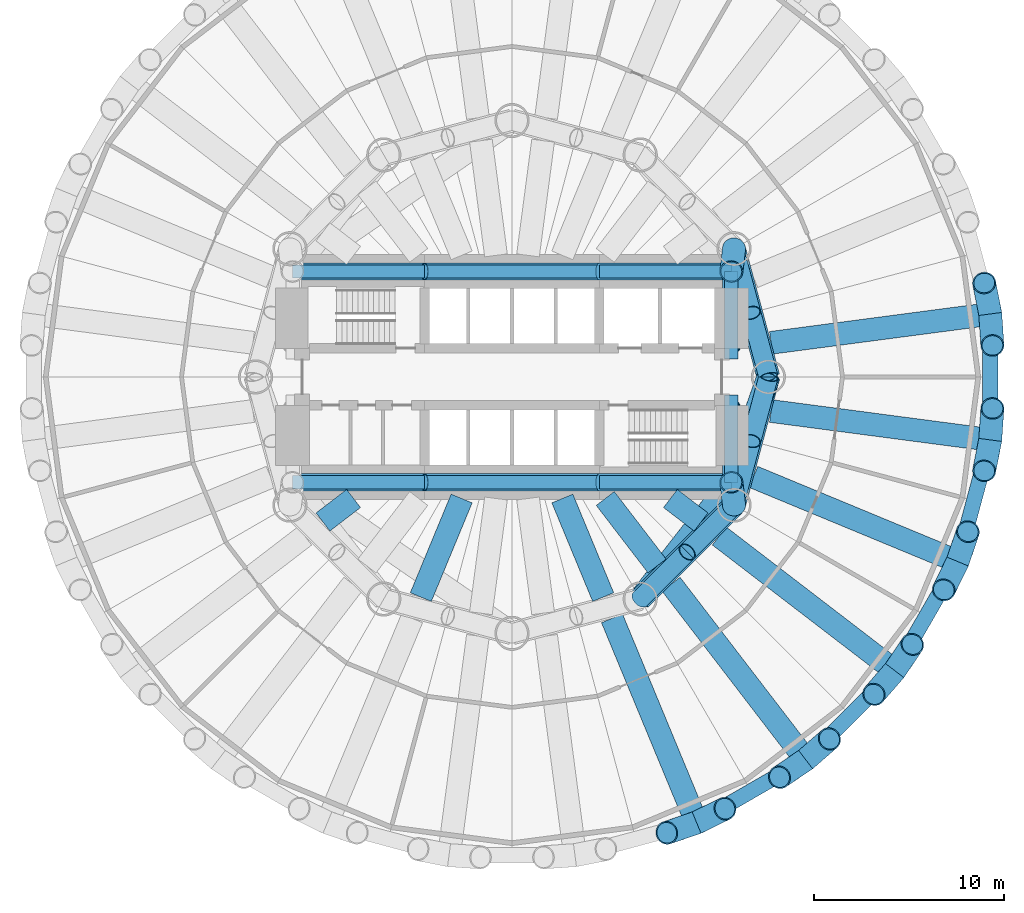
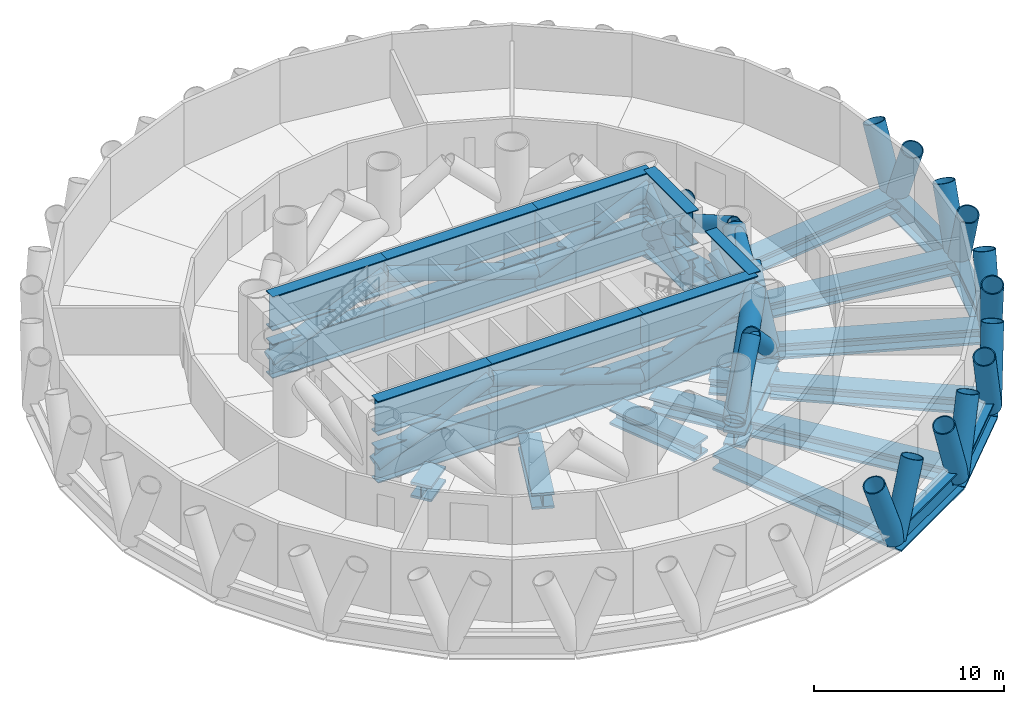
# One storey, part 2 of 7: 35 beams, 32 members.
"""IFC4 building model written with IfcOpenShell, lengths in metres."""

from ifc_helpers import new_model, si_unit, direction, frame, origin, origin_2d, place, context, subcontext, project, spatial, hollow_circle, i_section, extrude, material, material_profile, profile_set, type_object, element, save


model = new_model("IFC4")

# Units and contexts
model_context = context("Model", 3, precision=1e-05, world=origin(), true_north=direction((0.0, 1.0)))
body_context = subcontext(model_context, "Body", "Model", "MODEL_VIEW")
ifc_project = project(units=[si_unit("LENGTHUNIT", "METRE"), si_unit("AREAUNIT", "SQUARE_METRE"), si_unit("VOLUMEUNIT", "CUBIC_METRE"), si_unit("PLANEANGLEUNIT", "RADIAN"), si_unit("MASSUNIT", "GRAM", prefix="KILO")], contexts=[model_context])

# Site, building, storey
site_placement = place(None, origin())
site = spatial("IfcSite", under=ifc_project, at=site_placement, CompositionType="ELEMENT")
building_placement = place(site_placement, origin())
building = spatial("IfcBuilding", under=site, at=building_placement, Name="Qaws Media Tower", CompositionType="ELEMENT")
storey_placement = place(building_placement, frame((0.0, 0.0, 101.60009765625)))
storey = spatial("IfcBuildingStorey", under=building, at=storey_placement, Name="L22", CompositionType="ELEMENT", Elevation=101.60009765625)

# Members
ifc_material_1 = material(Name="Steel S355", Category="steel")
ifc_material_profile_1 = material_profile(ifc_material_1, hollow_circle(Radius=0.508056640625, WallThickness=0.050048828125, at=origin_2d()), Name="CHS 1016x50")
ifc_profile_set_1 = profile_set([ifc_material_profile_1], Name="Steel S355")
member_type_1 = type_object("IfcMemberType", Name="Belt truss diagonal CHS 1016x50", PredefinedType="BRACE", material=ifc_profile_set_1)
member_1_placement = place(storey_placement, frame((71.69140625, 56.75, 0.39990234375), z_axis=(0.23607497664, -0.881074642836, 0.409848849158), x_axis=(0.965928090778, 0.258810593767, 0.0)))
element("IfcMember", 1, at=member_1_placement, inside=storey, type_object=member_type_1, Name="BT1 belt diagonal L22 I02 to the head over I01", PredefinedType="BRACE", context=body_context, shape_type="SweptSolid", body=[
    extrude(hollow_circle(Radius=0.508056640625, WallThickness=0.050048828125, at=origin_2d()), origin(), (0.0, 0.0, 1.0), 7.6611328125),
])
for number, where, z_axis, x_axis, name in (
    (2, (71.69140625, 56.75, 0.39990234375), (0.19250251089, -0.718454295502, 0.668405721531), (0.965928090778, 0.258810593767, 0.0), "BT1 belt diagonal L22 I02 to bay I01-I02 apex"),
    (3, (66.75, 38.30859375, 0.39990234375), (0.525947375075, 0.525947375075, 0.668400117672), (-0.707106781187, 0.707106781187, 0.0), "BT1 belt diagonal L22 I11 to bay I11-I12 apex"),
    (4, (71.69140625, 43.25, 0.39990234375), (-0.525947375075, -0.525947375075, 0.668400117672), (0.707106781187, -0.707106781187, 0.0), "BT1 belt diagonal L22 I12 to bay I11-I12 apex"),
    (5, (71.69140625, 43.25, 0.39990234375), (0.19250251089, 0.718454295502, 0.668405721531), (-0.965928090778, 0.258810593767, 0.0), "BT1 belt diagonal L22 I12 to bay I12-I01 apex"),
):
    element("IfcMember", number, at=place(storey_placement, frame(where, z_axis=z_axis, x_axis=x_axis)), inside=storey, type_object=member_type_1, Name=name, PredefinedType="BRACE", context=body_context, shape_type="SweptSolid", body=[
        extrude(hollow_circle(Radius=0.508056640625, WallThickness=0.050048828125, at=origin_2d()), origin(), (0.0, 0.0, 1.0), 4.697509765625),
    ])
member_2_placement = place(storey_placement, frame((71.69140625, 43.25, 0.39990234375), z_axis=(0.23607497664, 0.881074642836, 0.409848849158), x_axis=(-0.965928090778, 0.258810593767, 0.0)))
element("IfcMember", 6, at=member_2_placement, inside=storey, type_object=member_type_1, Name="BT1 belt diagonal L22 I12 to the head over I01", PredefinedType="BRACE", context=body_context, shape_type="SweptSolid", body=[
    extrude(hollow_circle(Radius=0.508056640625, WallThickness=0.050048828125, at=origin_2d()), origin(), (0.0, 0.0, 1.0), 7.6611328125),
])

# Beams
ifc_material_2 = material(Name="Steel S460", Category="steel")
ifc_material_profile_2 = material_profile(ifc_material_2, i_section(OverallWidth=0.699951171875, OverallDepth=2.199951171875, WebThickness=0.028076171875, FlangeThickness=0.06005859375, at=origin_2d()), Name="PG 2200x700")
ifc_profile_set_2 = profile_set([ifc_material_profile_2], Name="Steel S460")
beam_type_1 = type_object("IfcBeamType", Name="Core outrigger truss chord PG 2200x700", PredefinedType="BEAM", material=ifc_profile_set_2)
for number, where, z_axis, x_axis, name in (
    (7, (48.449951171875, 55.550048828125, 0.39990234375), (1.0, 0.0, 0.0), (0.0, 1.0, 0.0), "CT1 core outrigger truss chord NB1 L22"),
    (8, (48.449951171875, 55.550048828125, 3.449951171875), (1.0, 0.0, 0.0), (0.0, 1.0, 0.0), "CT1 core outrigger truss chord NT1 L22"),
):
    element("IfcBeam", number, at=place(storey_placement, frame(where, z_axis=z_axis, x_axis=x_axis)), inside=storey, type_object=beam_type_1, Name=name, PredefinedType="BEAM", context=body_context, shape_type="SweptSolid", body=[
        extrude(i_section(OverallWidth=0.699951171875, OverallDepth=2.199951171875, WebThickness=0.028076171875, FlangeThickness=0.06005859375, at=origin_2d()), origin(), (0.0, 0.0, 1.0), 6.949951171875),
    ])
for number, where, z_axis, x_axis, name in (
    (9, (55.39990234375, 55.550048828125, 0.39990234375), (1.0, 0.0, 0.0), (0.0, 1.0, 0.0), "CT1 core outrigger truss chord NB2 L22"),
    (10, (55.39990234375, 55.550048828125, 3.449951171875), (1.0, 0.0, 0.0), (0.0, 1.0, 0.0), "CT1 core outrigger truss chord NT2 L22"),
):
    element("IfcBeam", number, at=place(storey_placement, frame(where, z_axis=z_axis, x_axis=x_axis)), inside=storey, type_object=beam_type_1, Name=name, PredefinedType="BEAM", context=body_context, shape_type="SweptSolid", body=[
        extrude(i_section(OverallWidth=0.699951171875, OverallDepth=2.199951171875, WebThickness=0.028076171875, FlangeThickness=0.06005859375, at=origin_2d()), origin(), (0.0, 0.0, 1.0), 9.2001953125),
    ])
for number, where, z_axis, x_axis, name in (
    (11, (64.60009765625, 55.550048828125, 0.39990234375), (1.0, 0.0, 0.0), (0.0, 1.0, 0.0), "CT1 core outrigger truss chord NB3 L22"),
    (12, (64.60009765625, 55.550048828125, 3.449951171875), (1.0, 0.0, 0.0), (0.0, 1.0, 0.0), "CT1 core outrigger truss chord NT3 L22"),
    (13, (48.449951171875, 44.449951171875, 0.39990234375), (1.0, 0.0, 0.0), (0.0, 1.0, 0.0), "CT1 core outrigger truss chord SB1 L22"),
    (14, (48.449951171875, 44.449951171875, 3.449951171875), (1.0, 0.0, 0.0), (0.0, 1.0, 0.0), "CT1 core outrigger truss chord ST1 L22"),
):
    element("IfcBeam", number, at=place(storey_placement, frame(where, z_axis=z_axis, x_axis=x_axis)), inside=storey, type_object=beam_type_1, Name=name, PredefinedType="BEAM", context=body_context, shape_type="SweptSolid", body=[
        extrude(i_section(OverallWidth=0.699951171875, OverallDepth=2.199951171875, WebThickness=0.028076171875, FlangeThickness=0.06005859375, at=origin_2d()), origin(), (0.0, 0.0, 1.0), 6.949951171875),
    ])
for number, where, z_axis, x_axis, name in (
    (15, (55.39990234375, 44.449951171875, 0.39990234375), (1.0, 0.0, 0.0), (0.0, 1.0, 0.0), "CT1 core outrigger truss chord SB2 L22"),
    (16, (55.39990234375, 44.449951171875, 3.449951171875), (1.0, 0.0, 0.0), (0.0, 1.0, 0.0), "CT1 core outrigger truss chord ST2 L22"),
):
    element("IfcBeam", number, at=place(storey_placement, frame(where, z_axis=z_axis, x_axis=x_axis)), inside=storey, type_object=beam_type_1, Name=name, PredefinedType="BEAM", context=body_context, shape_type="SweptSolid", body=[
        extrude(i_section(OverallWidth=0.699951171875, OverallDepth=2.199951171875, WebThickness=0.028076171875, FlangeThickness=0.06005859375, at=origin_2d()), origin(), (0.0, 0.0, 1.0), 9.2001953125),
    ])
for number, where, z_axis, x_axis, name in (
    (17, (64.60009765625, 44.449951171875, 0.39990234375), (1.0, 0.0, 0.0), (0.0, 1.0, 0.0), "CT1 core outrigger truss chord SB3 L22"),
    (18, (64.60009765625, 44.449951171875, 3.449951171875), (1.0, 0.0, 0.0), (0.0, 1.0, 0.0), "CT1 core outrigger truss chord ST3 L22"),
):
    element("IfcBeam", number, at=place(storey_placement, frame(where, z_axis=z_axis, x_axis=x_axis)), inside=storey, type_object=beam_type_1, Name=name, PredefinedType="BEAM", context=body_context, shape_type="SweptSolid", body=[
        extrude(i_section(OverallWidth=0.699951171875, OverallDepth=2.199951171875, WebThickness=0.028076171875, FlangeThickness=0.06005859375, at=origin_2d()), origin(), (0.0, 0.0, 1.0), 6.949951171875),
    ])
for number, where, z_axis, x_axis, name in (
    (19, (71.550048828125, 44.449951171875, 0.39990234375), (0.0, 1.0, 0.0), (-1.0, 0.0, 0.0), "CT1 core outrigger truss chord EB1 L22"),
    (20, (71.550048828125, 44.449951171875, 3.449951171875), (0.0, 1.0, 0.0), (-1.0, 0.0, 0.0), "CT1 core outrigger truss chord ET1 L22"),
    (21, (71.550048828125, 50.949951171875, 0.39990234375), (0.0, 1.0, 0.0), (-1.0, 0.0, 0.0), "CT1 core outrigger truss chord EB3 L22"),
    (22, (71.550048828125, 50.949951171875, 3.449951171875), (0.0, 1.0, 0.0), (-1.0, 0.0, 0.0), "CT1 core outrigger truss chord ET3 L22"),
):
    element("IfcBeam", number, at=place(storey_placement, frame(where, z_axis=z_axis, x_axis=x_axis)), inside=storey, type_object=beam_type_1, Name=name, PredefinedType="BEAM", context=body_context, shape_type="SweptSolid", body=[
        extrude(i_section(OverallWidth=0.699951171875, OverallDepth=2.199951171875, WebThickness=0.028076171875, FlangeThickness=0.06005859375, at=origin_2d()), origin(), (0.0, 0.0, 1.0), 4.60009765625),
    ])

# Members
ifc_material_3 = material(Name="Steel S460", Category="steel")
ifc_material_profile_3 = material_profile(ifc_material_3, hollow_circle(Radius=0.45703125, WallThickness=0.044921875, at=origin_2d()), Name="CHS 914x45")
ifc_profile_set_3 = profile_set([ifc_material_profile_3], Name="Steel S460")
member_type_2 = type_object("IfcMemberType", Name="Core outrigger truss diagonal CHS 914x45", PredefinedType="BRACE", material=ifc_profile_set_3)
member_3_placement = place(storey_placement, frame((48.449951171875, 55.550048828125, 0.39990234375), z_axis=(0.91569975624, 0.0, 0.401863106569), x_axis=(0.0, 1.0, 0.0)))
element("IfcMember", 23, at=member_3_placement, inside=storey, type_object=member_type_2, Name="CT2 core outrigger truss diagonal N1 L22", PredefinedType="BRACE", context=body_context, shape_type="SweptSolid", body=[
    extrude(hollow_circle(Radius=0.45703125, WallThickness=0.044921875, at=origin_2d()), origin(), (0.0, 0.0, 1.0), 7.58984375),
])
member_4_placement = place(storey_placement, frame((64.60009765625, 55.550048828125, 0.39990234375), z_axis=(-0.949198394825, 0.0, 0.314678259913), x_axis=(0.0, -1.0, 0.0)))
element("IfcMember", 24, at=member_4_placement, inside=storey, type_object=member_type_2, Name="CT2 core outrigger truss diagonal N2 L22", PredefinedType="BRACE", context=body_context, shape_type="SweptSolid", body=[
    extrude(hollow_circle(Radius=0.45703125, WallThickness=0.044921875, at=origin_2d()), origin(), (0.0, 0.0, 1.0), 9.692626953125),
])
for number, where, z_axis, x_axis, name in (
    (25, (64.60009765625, 55.550048828125, 0.39990234375), (0.91569975624, 0.0, 0.401863106569), (0.0, 1.0, 0.0), "CT2 core outrigger truss diagonal N3 L22"),
    (26, (48.449951171875, 44.449951171875, 0.39990234375), (0.91569975624, 0.0, 0.401863106569), (0.0, 1.0, 0.0), "CT2 core outrigger truss diagonal S1 L22"),
):
    element("IfcMember", number, at=place(storey_placement, frame(where, z_axis=z_axis, x_axis=x_axis)), inside=storey, type_object=member_type_2, Name=name, PredefinedType="BRACE", context=body_context, shape_type="SweptSolid", body=[
        extrude(hollow_circle(Radius=0.45703125, WallThickness=0.044921875, at=origin_2d()), origin(), (0.0, 0.0, 1.0), 7.58984375),
    ])
member_5_placement = place(storey_placement, frame((64.60009765625, 44.449951171875, 0.39990234375), z_axis=(-0.949198394825, 0.0, 0.314678259913), x_axis=(0.0, -1.0, 0.0)))
element("IfcMember", 27, at=member_5_placement, inside=storey, type_object=member_type_2, Name="CT2 core outrigger truss diagonal S2 L22", PredefinedType="BRACE", context=body_context, shape_type="SweptSolid", body=[
    extrude(hollow_circle(Radius=0.45703125, WallThickness=0.044921875, at=origin_2d()), origin(), (0.0, 0.0, 1.0), 9.692626953125),
])
member_6_placement = place(storey_placement, frame((64.60009765625, 44.449951171875, 0.39990234375), z_axis=(0.91569975624, 0.0, 0.401863106569), x_axis=(0.0, 1.0, 0.0)))
element("IfcMember", 28, at=member_6_placement, inside=storey, type_object=member_type_2, Name="CT2 core outrigger truss diagonal S3 L22", PredefinedType="BRACE", context=body_context, shape_type="SweptSolid", body=[
    extrude(hollow_circle(Radius=0.45703125, WallThickness=0.044921875, at=origin_2d()), origin(), (0.0, 0.0, 1.0), 7.58984375),
])
for number, where, z_axis, x_axis, name in (
    (29, (71.550048828125, 44.449951171875, 0.39990234375), (0.0, 0.798813871515, 0.601578256485), (-1.0, 0.0, 0.0), "CT2 core outrigger truss diagonal E1 L22"),
    (30, (71.550048828125, 48.5, 0.39990234375), (0.0, -0.798813871515, 0.601578256485), (1.0, 0.0, 0.0), "CT2 core outrigger truss diagonal E1b L22"),
    (31, (71.550048828125, 51.5, 0.39990234375), (0.0, 0.798813871515, 0.601578256485), (-1.0, 0.0, 0.0), "CT2 core outrigger truss diagonal E3 L22"),
    (32, (71.550048828125, 55.550048828125, 0.39990234375), (0.0, -0.798813871515, 0.601578256485), (1.0, 0.0, 0.0), "CT2 core outrigger truss diagonal E3b L22"),
):
    element("IfcMember", number, at=place(storey_placement, frame(where, z_axis=z_axis, x_axis=x_axis)), inside=storey, type_object=member_type_2, Name=name, PredefinedType="BRACE", context=body_context, shape_type="SweptSolid", body=[
        extrude(hollow_circle(Radius=0.45703125, WallThickness=0.044921875, at=origin_2d()), origin(), (0.0, 0.0, 1.0), 5.070068359375),
    ])
ifc_material_4 = material(Name="Steel S460", Category="steel")
ifc_material_profile_4 = material_profile(ifc_material_4, hollow_circle(Radius=0.609619140625, WallThickness=0.06005859375, at=origin_2d()), Name="CHS 1219x60")
ifc_profile_set_4 = profile_set([ifc_material_profile_4], Name="Steel S460")
member_type_3 = type_object("IfcMemberType", Name="Diagrid member CHS 1219x60", PredefinedType="USERDEFINED", material=ifc_profile_set_4)
member_7_placement = place(storey_placement, frame((85.1826171875, 53.3154296875, -1.0), z_axis=(-0.069523813995, 0.354359164921, 0.93252132497), x_axis=(-0.98129197872, -0.192525459356, 0.0)))
element("IfcMember", 33, at=member_7_placement, inside=storey, type_object=member_type_3, Name="DG1 diagrid L22 A01", ObjectType="DIAGRID", PredefinedType="USERDEFINED", context=body_context, shape_type="SweptSolid", body=[
    extrude(hollow_circle(Radius=0.609619140625, WallThickness=0.06005859375, at=origin_2d()), origin(), (0.0, 0.0, 1.0), 4.60009765625),
])
member_8_placement = place(storey_placement, frame((85.1826171875, 53.3154296875, -1.0), z_axis=(0.024571933581, -0.3602999073, 0.932512840061), x_axis=(0.997682559208, 0.068040510372, 0.0)))
element("IfcMember", 34, at=member_8_placement, inside=storey, type_object=member_type_3, Name="DG1 diagrid L22 B01", ObjectType="DIAGRID", PredefinedType="USERDEFINED", context=body_context, shape_type="SweptSolid", body=[
    extrude(hollow_circle(Radius=0.609619140625, WallThickness=0.06005859375, at=origin_2d()), origin(), (0.0, 0.0, 1.0), 4.600341796875),
])
member_9_placement = place(storey_placement, frame((69.72021484375, 26.533447265625, -1.0), z_axis=(0.324271341188, 0.158845192173, 0.932532199019), x_axis=(-0.439908574861, 0.898042563448, 0.0)))
element("IfcMember", 35, at=member_9_placement, inside=storey, type_object=member_type_3, Name="DG1 diagrid L22 A20", ObjectType="DIAGRID", PredefinedType="USERDEFINED", context=body_context, shape_type="SweptSolid", body=[
    extrude(hollow_circle(Radius=0.609619140625, WallThickness=0.06005859375, at=origin_2d()), origin(), (0.0, 0.0, 1.0), 4.60009765625),
])
member_10_placement = place(storey_placement, frame((69.72021484375, 26.533447265625, -1.0), z_axis=(-0.341671666109, -0.116968678488, 0.93251209152), x_axis=(0.323888470578, -0.946095269319, 0.0)))
element("IfcMember", 36, at=member_10_placement, inside=storey, type_object=member_type_3, Name="DG1 diagrid L22 B20", ObjectType="DIAGRID", PredefinedType="USERDEFINED", context=body_context, shape_type="SweptSolid", body=[
    extrude(hollow_circle(Radius=0.609619140625, WallThickness=0.06005859375, at=origin_2d()), origin(), (0.0, 0.0, 1.0), 4.600341796875),
])
member_11_placement = place(storey_placement, frame((75.462646484375, 29.848876953125, -1.0), z_axis=(0.272099915232, 0.237390856413, 0.932527327976), x_axis=(-0.657411369404, 0.753531878143, 0.0)))
element("IfcMember", 37, at=member_11_placement, inside=storey, type_object=member_type_3, Name="DG1 diagrid L22 A21", ObjectType="DIAGRID", PredefinedType="USERDEFINED", context=body_context, shape_type="SweptSolid", body=[
    extrude(hollow_circle(Radius=0.609619140625, WallThickness=0.06005859375, at=origin_2d()), origin(), (0.0, 0.0, 1.0), 4.60009765625),
])
for number, where, z_axis, x_axis, name in (
    (38, (75.462646484375, 29.848876953125, -1.0), (-0.299746996923, -0.201405781396, 0.932516728566), (0.557714887882, -0.830032592031, 0.0), "DG1 diagrid L22 B21"),
    (39, (80.151123046875, 34.537353515625, -1.0), (0.201405781396, 0.299746996923, 0.932516728566), (-0.830032592031, 0.557714887882, 0.0), "DG1 diagrid L22 A22"),
):
    element("IfcMember", number, at=place(storey_placement, frame(where, z_axis=z_axis, x_axis=x_axis)), inside=storey, type_object=member_type_3, Name=name, ObjectType="DIAGRID", PredefinedType="USERDEFINED", context=body_context, shape_type="SweptSolid", body=[
        extrude(hollow_circle(Radius=0.609619140625, WallThickness=0.06005859375, at=origin_2d()), origin(), (0.0, 0.0, 1.0), 4.600341796875),
    ])
member_12_placement = place(storey_placement, frame((80.151123046875, 34.537353515625, -1.0), z_axis=(-0.237390856413, -0.272099915232, 0.932527327976), x_axis=(0.753531878143, -0.657411369404, 0.0)))
element("IfcMember", 40, at=member_12_placement, inside=storey, type_object=member_type_3, Name="DG1 diagrid L22 B22", ObjectType="DIAGRID", PredefinedType="USERDEFINED", context=body_context, shape_type="SweptSolid", body=[
    extrude(hollow_circle(Radius=0.609619140625, WallThickness=0.06005859375, at=origin_2d()), origin(), (0.0, 0.0, 1.0), 4.60009765625),
])
member_13_placement = place(storey_placement, frame((83.466552734375, 40.27978515625, -1.0), z_axis=(0.116968678488, 0.341671666109, 0.93251209152), x_axis=(-0.946095269319, 0.323888470578, 0.0)))
element("IfcMember", 41, at=member_13_placement, inside=storey, type_object=member_type_3, Name="DG1 diagrid L22 A23", ObjectType="DIAGRID", PredefinedType="USERDEFINED", context=body_context, shape_type="SweptSolid", body=[
    extrude(hollow_circle(Radius=0.609619140625, WallThickness=0.06005859375, at=origin_2d()), origin(), (0.0, 0.0, 1.0), 4.600341796875),
])
member_14_placement = place(storey_placement, frame((83.466552734375, 40.27978515625, -1.0), z_axis=(-0.158845192173, -0.324271341188, 0.932532199019), x_axis=(0.898042563448, -0.439908574861, 0.0)))
element("IfcMember", 42, at=member_14_placement, inside=storey, type_object=member_type_3, Name="DG1 diagrid L22 B23", ObjectType="DIAGRID", PredefinedType="USERDEFINED", context=body_context, shape_type="SweptSolid", body=[
    extrude(hollow_circle(Radius=0.609619140625, WallThickness=0.06005859375, at=origin_2d()), origin(), (0.0, 0.0, 1.0), 4.60009765625),
])
member_15_placement = place(storey_placement, frame((85.1826171875, 46.6845703125, -1.0), z_axis=(0.024571933581, 0.3602999073, 0.932512840061), x_axis=(-0.997682559208, 0.068040510372, 0.0)))
element("IfcMember", 43, at=member_15_placement, inside=storey, type_object=member_type_3, Name="DG1 diagrid L22 A24", ObjectType="DIAGRID", PredefinedType="USERDEFINED", context=body_context, shape_type="SweptSolid", body=[
    extrude(hollow_circle(Radius=0.609619140625, WallThickness=0.06005859375, at=origin_2d()), origin(), (0.0, 0.0, 1.0), 4.600341796875),
])
member_16_placement = place(storey_placement, frame((85.1826171875, 46.6845703125, -1.0), z_axis=(-0.069523813995, -0.354359164921, 0.93252132497), x_axis=(0.98129197872, -0.192525459356, 0.0)))
element("IfcMember", 44, at=member_16_placement, inside=storey, type_object=member_type_3, Name="DG1 diagrid L22 B24", ObjectType="DIAGRID", PredefinedType="USERDEFINED", context=body_context, shape_type="SweptSolid", body=[
    extrude(hollow_circle(Radius=0.609619140625, WallThickness=0.06005859375, at=origin_2d()), origin(), (0.0, 0.0, 1.0), 4.60009765625),
])

# Beams
ifc_material_5 = material(Name="Steel S460", Category="steel")
ifc_material_profile_5 = material_profile(ifc_material_5, i_section(OverallWidth=0.800048828125, OverallDepth=1.5, WebThickness=0.0400390625, FlangeThickness=0.10009765625, at=origin_2d()), Name="PG 1500x800")
ifc_profile_set_5 = profile_set([ifc_material_profile_5], Name="Steel S460")
beam_type_2 = type_object("IfcBeamType", Name="Edge ring beam PG 1500x800", PredefinedType="BEAM", material=ifc_profile_set_5)
beam_1_placement = place(storey_placement, frame((69.72021484375, 26.533447265625, -1.0), z_axis=(0.866023102884, 0.500003985254, 0.0), x_axis=(-0.500003985254, 0.866023102884, 0.0)))
element("IfcBeam", 45, at=beam_1_placement, inside=storey, type_object=beam_type_2, Name="RB7 edge ring beam L22-20", PredefinedType="BEAM", context=body_context, shape_type="SweptSolid", body=[
    extrude(i_section(OverallWidth=0.800048828125, OverallDepth=1.5, WebThickness=0.0400390625, FlangeThickness=0.10009765625, at=origin_2d()), origin(), (0.0, 0.0, 1.0), 6.630859375),
])
beam_2_placement = place(storey_placement, frame((75.462646484375, 29.848876953125, -1.0), z_axis=(0.707106781187, 0.707106781187, 0.0), x_axis=(-0.707106781187, 0.707106781187, 0.0)))
element("IfcBeam", 46, at=beam_2_placement, inside=storey, type_object=beam_type_2, Name="RB7 edge ring beam L22-21", PredefinedType="BEAM", context=body_context, shape_type="SweptSolid", body=[
    extrude(i_section(OverallWidth=0.800048828125, OverallDepth=1.5, WebThickness=0.0400390625, FlangeThickness=0.10009765625, at=origin_2d()), origin(), (0.0, 0.0, 1.0), 6.630615234375),
])
beam_3_placement = place(storey_placement, frame((80.151123046875, 34.537353515625, -1.0), z_axis=(0.500003985254, 0.866023102884, 0.0), x_axis=(-0.866023102884, 0.500003985254, 0.0)))
element("IfcBeam", 47, at=beam_3_placement, inside=storey, type_object=beam_type_2, Name="RB7 edge ring beam L22-22", PredefinedType="BEAM", context=body_context, shape_type="SweptSolid", body=[
    extrude(i_section(OverallWidth=0.800048828125, OverallDepth=1.5, WebThickness=0.0400390625, FlangeThickness=0.10009765625, at=origin_2d()), origin(), (0.0, 0.0, 1.0), 6.630859375),
])
beam_4_placement = place(storey_placement, frame((83.466552734375, 40.27978515625, -1.0), z_axis=(0.258806021256, 0.965929315924, 0.0), x_axis=(-0.965929315924, 0.258806021256, 0.0)))
element("IfcBeam", 48, at=beam_4_placement, inside=storey, type_object=beam_type_2, Name="RB7 edge ring beam L22-23", PredefinedType="BEAM", context=body_context, shape_type="SweptSolid", body=[
    extrude(i_section(OverallWidth=0.800048828125, OverallDepth=1.5, WebThickness=0.0400390625, FlangeThickness=0.10009765625, at=origin_2d()), origin(), (0.0, 0.0, 1.0), 6.630615234375),
])
beam_5_placement = place(storey_placement, frame((85.1826171875, 46.6845703125, -1.0), z_axis=(0.0, 1.0, 0.0), x_axis=(-1.0, 0.0, 0.0)))
element("IfcBeam", 49, at=beam_5_placement, inside=storey, type_object=beam_type_2, Name="RB7 edge ring beam L22-24", PredefinedType="BEAM", context=body_context, shape_type="SweptSolid", body=[
    extrude(i_section(OverallWidth=0.800048828125, OverallDepth=1.5, WebThickness=0.0400390625, FlangeThickness=0.10009765625, at=origin_2d()), origin(), (0.0, 0.0, 1.0), 6.630859375),
])
ifc_material_6 = material(Name="Steel S460", Category="steel")
ifc_material_profile_6 = material_profile(ifc_material_6, i_section(OverallWidth=1.199951171875, OverallDepth=1.0, WebThickness=0.06005859375, FlangeThickness=0.14990234375, at=origin_2d()), Name="PG 1000x1200")
ifc_profile_set_6 = profile_set([ifc_material_profile_6], Name="Steel S460")
beam_type_3 = type_object("IfcBeamType", Name="Inner ring girder PG 1000x1200", PredefinedType="BEAM", material=ifc_profile_set_6)
beam_6_placement = place(storey_placement, frame((73.5, 50.0, -0.75), z_axis=(-0.258810593767, 0.965928090778, 0.0), x_axis=(-0.965928090778, -0.258810593767, 0.0)))
element("IfcBeam", 50, at=beam_6_placement, inside=storey, type_object=beam_type_3, Name="B3 inner ring beam L22 I01-I02", PredefinedType="BEAM", context=body_context, shape_type="SweptSolid", body=[
    extrude(i_section(OverallWidth=1.199951171875, OverallDepth=1.0, WebThickness=0.06005859375, FlangeThickness=0.14990234375, at=origin_2d()), origin(), (0.0, 0.0, 1.0), 6.988037109375),
])
beam_7_placement = place(storey_placement, frame((66.75, 38.30859375, -0.75), z_axis=(0.707106781187, 0.707106781187, 0.0), x_axis=(-0.707106781187, 0.707106781187, 0.0)))
element("IfcBeam", 51, at=beam_7_placement, inside=storey, type_object=beam_type_3, Name="B3 inner ring beam L22 I11-I12", PredefinedType="BEAM", context=body_context, shape_type="SweptSolid", body=[
    extrude(i_section(OverallWidth=1.199951171875, OverallDepth=1.0, WebThickness=0.06005859375, FlangeThickness=0.14990234375, at=origin_2d()), origin(), (0.0, 0.0, 1.0), 6.98828125),
])
beam_8_placement = place(storey_placement, frame((71.69140625, 43.25, -0.75), z_axis=(0.258810593767, 0.965928090778, 0.0), x_axis=(-0.965928090778, 0.258810593767, 0.0)))
element("IfcBeam", 52, at=beam_8_placement, inside=storey, type_object=beam_type_3, Name="B3 inner ring beam L22 I12-I01", PredefinedType="BEAM", context=body_context, shape_type="SweptSolid", body=[
    extrude(i_section(OverallWidth=1.199951171875, OverallDepth=1.0, WebThickness=0.06005859375, FlangeThickness=0.14990234375, at=origin_2d()), origin(), (0.0, 0.0, 1.0), 6.988037109375),
])

# Members
ifc_material_7 = material(Name="Steel S355", Category="steel")
ifc_material_profile_7 = material_profile(ifc_material_7, hollow_circle(Radius=0.609619140625, WallThickness=0.06005859375, at=origin_2d()), Name="CHS 1219x60")
ifc_profile_set_7 = profile_set([ifc_material_profile_7], Name="Steel S355")
member_type_4 = type_object("IfcMemberType", Name="Outrigger diagonal CHS 1219x60", PredefinedType="BRACE", material=ifc_profile_set_7)
member_17_placement = place(storey_placement, frame((71.550048828125, 44.449951171875, 0.39990234375), z_axis=(0.294273510221, 0.837576024521, 0.460292846274), x_axis=(-0.943463647565, 0.331476010782, 0.0)))
element("IfcMember", 53, at=member_17_placement, inside=storey, type_object=member_type_4, Name="OT1 outrigger diagonal L22 I01", PredefinedType="BRACE", context=body_context, shape_type="SweptSolid", body=[
    extrude(hollow_circle(Radius=0.609619140625, WallThickness=0.06005859375, at=origin_2d()), origin(), (0.0, 0.0, 1.0), 6.626220703125),
])
member_18_placement = place(storey_placement, frame((71.550048828125, 55.550048828125, 3.449951171875), z_axis=(0.043088239804, 0.365766318886, -0.929708773519), x_axis=(-0.99313266225, 0.116993654414, 0.0)))
element("IfcMember", 54, at=member_18_placement, inside=storey, type_object=member_type_4, Name="OT1 outrigger diagonal L22 I02", PredefinedType="BRACE", context=body_context, shape_type="SweptSolid", body=[
    extrude(hollow_circle(Radius=0.609619140625, WallThickness=0.06005859375, at=origin_2d()), origin(), (0.0, 0.0, 1.0), 3.28076171875),
])
member_19_placement = place(storey_placement, frame((71.550048828125, 44.449951171875, 3.449951171875), z_axis=(-0.573471740928, -0.73372064712, -0.36439562888), x_axis=(0.787892820552, -0.615812392959, 0.0)))
element("IfcMember", 55, at=member_19_placement, inside=storey, type_object=member_type_4, Name="OT1 outrigger diagonal L22 I11", PredefinedType="BRACE", context=body_context, shape_type="SweptSolid", body=[
    extrude(hollow_circle(Radius=0.609619140625, WallThickness=0.06005859375, at=origin_2d()), origin(), (0.0, 0.0, 1.0), 8.3701171875),
])
member_20_placement = place(storey_placement, frame((71.550048828125, 44.449951171875, 3.449951171875), z_axis=(0.043088239804, -0.365766318886, -0.929708773519), x_axis=(0.99313266225, 0.116993654414, 0.0)))
element("IfcMember", 56, at=member_20_placement, inside=storey, type_object=member_type_4, Name="OT1 outrigger diagonal L22 I12", PredefinedType="BRACE", context=body_context, shape_type="SweptSolid", body=[
    extrude(hollow_circle(Radius=0.609619140625, WallThickness=0.06005859375, at=origin_2d()), origin(), (0.0, 0.0, 1.0), 3.28076171875),
])

# Beams
ifc_material_8 = material(Name="Steel S355", Category="steel")
ifc_material_profile_8 = material_profile(ifc_material_8, i_section(OverallWidth=1.199951171875, OverallDepth=1.0, WebThickness=0.06005859375, FlangeThickness=0.14990234375, at=origin_2d()), Name="PG 1000x1200")
ifc_profile_set_8 = profile_set([ifc_material_profile_8], Name="Steel S355")
beam_type_4 = type_object("IfcBeamType", Name="Plant floor beam PG 1000x1200", PredefinedType="BEAM", material=ifc_profile_set_8)
beam_9_placement = place(storey_placement, frame((73.639892578125, 51.795654296875, -0.75), z_axis=(0.99144322881, 0.130538592173, 0.0), x_axis=(-0.130538592173, 0.99144322881, 0.0)))
element("IfcBeam", 57, at=beam_9_placement, inside=storey, type_object=beam_type_4, Name="B1 radial beam L22 01", PredefinedType="BEAM", context=body_context, shape_type="SweptSolid", body=[
    extrude(i_section(OverallWidth=1.199951171875, OverallDepth=1.0, WebThickness=0.06005859375, FlangeThickness=0.14990234375, at=origin_2d()), origin(), (0.0, 0.0, 1.0), 11.642333984375),
])
beam_10_placement = place(storey_placement, frame((51.659423828125, 43.60009765625, -0.75), z_axis=(-0.793341674391, -0.608776632005, 0.0), x_axis=(0.608776632005, -0.793341674391, 0.0)))
element("IfcBeam", 58, at=beam_10_placement, inside=storey, type_object=beam_type_4, Name="B6 radial beam L22 15", PredefinedType="BEAM", context=body_context, shape_type="SweptSolid", body=[
    extrude(i_section(OverallWidth=1.199951171875, OverallDepth=1.0, WebThickness=0.06005859375, FlangeThickness=0.14990234375, at=origin_2d()), origin(), (0.0, 0.0, 1.0), 2.034423828125),
])
beam_11_placement = place(storey_placement, frame((57.34912109375, 43.60009765625, -0.75), z_axis=(-0.382702192078, -0.923871761761, 0.0), x_axis=(0.923871761761, -0.382702192078, 0.0)))
element("IfcBeam", 59, at=beam_11_placement, inside=storey, type_object=beam_type_4, Name="B6 radial beam L22 17", PredefinedType="BEAM", context=body_context, shape_type="SweptSolid", body=[
    extrude(i_section(OverallWidth=1.199951171875, OverallDepth=1.0, WebThickness=0.06005859375, FlangeThickness=0.14990234375, at=origin_2d()), origin(), (0.0, 0.0, 1.0), 5.620361328125),
])
beam_12_placement = place(storey_placement, frame((65.264892578125, 37.28955078125, -0.75), z_axis=(0.382683308549, -0.923879583798, 0.0), x_axis=(0.923879583798, 0.382683308549, 0.0)))
element("IfcBeam", 60, at=beam_12_placement, inside=storey, type_object=beam_type_4, Name="B1 radial beam L22 20", PredefinedType="BEAM", context=body_context, shape_type="SweptSolid", body=[
    extrude(i_section(OverallWidth=1.199951171875, OverallDepth=1.0, WebThickness=0.06005859375, FlangeThickness=0.14990234375, at=origin_2d()), origin(), (0.0, 0.0, 1.0), 11.642333984375),
])
beam_13_placement = place(storey_placement, frame((62.65087890625, 43.60009765625, -0.75), z_axis=(0.382702192078, -0.923871761761, 0.0), x_axis=(0.923871761761, 0.382702192078, 0.0)))
element("IfcBeam", 61, at=beam_13_placement, inside=storey, type_object=beam_type_4, Name="B6 radial beam L22 20", PredefinedType="BEAM", context=body_context, shape_type="SweptSolid", body=[
    extrude(i_section(OverallWidth=1.199951171875, OverallDepth=1.0, WebThickness=0.06005859375, FlangeThickness=0.14990234375, at=origin_2d()), origin(), (0.0, 0.0, 1.0), 5.620361328125),
])
beam_14_placement = place(storey_placement, frame((68.375244140625, 39.085205078125, -0.75), z_axis=(0.608767835617, -0.793348424287, 0.0), x_axis=(0.793348424287, 0.608767835617, 0.0)))
element("IfcBeam", 62, at=beam_14_placement, inside=storey, type_object=beam_type_4, Name="B1 radial beam L22 21", PredefinedType="BEAM", context=body_context, shape_type="SweptSolid", body=[
    extrude(i_section(OverallWidth=1.199951171875, OverallDepth=1.0, WebThickness=0.06005859375, FlangeThickness=0.14990234375, at=origin_2d()), origin(), (0.0, 0.0, 1.0), 11.64208984375),
])
beam_15_placement = place(storey_placement, frame((64.910888671875, 43.60009765625, -0.75), z_axis=(0.608751793694, -0.793360733636, 0.0), x_axis=(0.793360733636, 0.608751793694, 0.0)))
element("IfcBeam", 63, at=beam_15_placement, inside=storey, type_object=beam_type_4, Name="B6 radial beam L22 21", PredefinedType="BEAM", context=body_context, shape_type="SweptSolid", body=[
    extrude(i_section(OverallWidth=1.199951171875, OverallDepth=1.0, WebThickness=0.06005859375, FlangeThickness=0.14990234375, at=origin_2d()), origin(), (0.0, 0.0, 1.0), 4.48046875),
])
beam_16_placement = place(storey_placement, frame((70.914794921875, 41.624755859375, -0.75), z_axis=(0.793348424287, -0.608767835617, 0.0), x_axis=(0.608767835617, 0.793348424287, 0.0)))
element("IfcBeam", 64, at=beam_16_placement, inside=storey, type_object=beam_type_4, Name="B1 radial beam L22 22", PredefinedType="BEAM", context=body_context, shape_type="SweptSolid", body=[
    extrude(i_section(OverallWidth=1.199951171875, OverallDepth=1.0, WebThickness=0.06005859375, FlangeThickness=0.14990234375, at=origin_2d()), origin(), (0.0, 0.0, 1.0), 11.64208984375),
])
beam_17_placement = place(storey_placement, frame((68.340576171875, 43.60009765625, -0.75), z_axis=(0.793341674391, -0.608776632005, 0.0), x_axis=(0.608776632005, 0.793341674391, 0.0)))
element("IfcBeam", 65, at=beam_17_placement, inside=storey, type_object=beam_type_4, Name="B6 radial beam L22 22", PredefinedType="BEAM", context=body_context, shape_type="SweptSolid", body=[
    extrude(i_section(OverallWidth=1.199951171875, OverallDepth=1.0, WebThickness=0.06005859375, FlangeThickness=0.14990234375, at=origin_2d()), origin(), (0.0, 0.0, 1.0), 2.034423828125),
])
for number, where, z_axis, x_axis, name in (
    (66, (72.71044921875, 44.735107421875, -0.75), (0.923879583798, -0.382683308549, 0.0), (0.382683308549, 0.923879583798, 0.0), "B1 radial beam L22 23"),
    (67, (73.639892578125, 48.204345703125, -0.75), (0.99144322881, -0.130538592173, 0.0), (0.130538592173, 0.99144322881, 0.0), "B1 radial beam L22 24"),
):
    element("IfcBeam", number, at=place(storey_placement, frame(where, z_axis=z_axis, x_axis=x_axis)), inside=storey, type_object=beam_type_4, Name=name, PredefinedType="BEAM", context=body_context, shape_type="SweptSolid", body=[
        extrude(i_section(OverallWidth=1.199951171875, OverallDepth=1.0, WebThickness=0.06005859375, FlangeThickness=0.14990234375, at=origin_2d()), origin(), (0.0, 0.0, 1.0), 11.642333984375),
    ])

save(model, "model.ifc")
